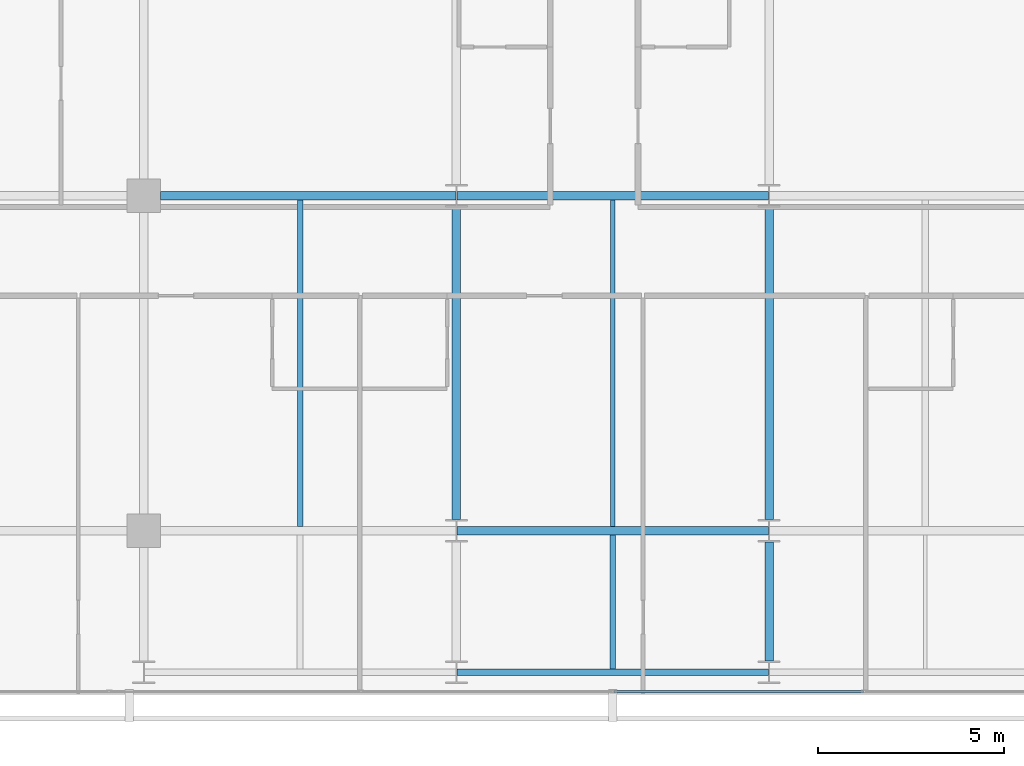
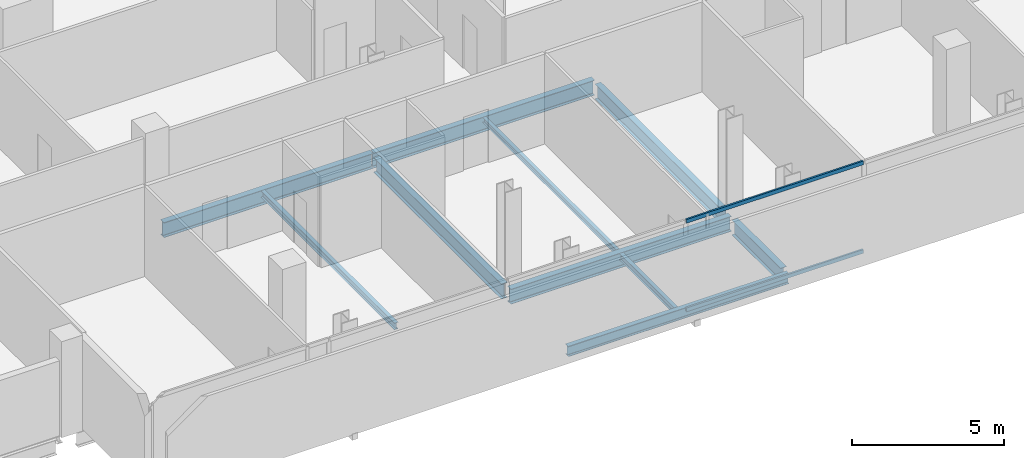
# One storey, part 7 of 32: 10 beams, 2 members, 1 element without a shape of its own.
"""IFC4 building model written with IfcOpenShell, lengths in metres."""

from ifc_helpers import new_model, si_unit, direction, frame, origin, origin_2d, place, context, subcontext, project, spatial, hollow_rectangle, i_section, extrude, material, layer, layer_set, material_profile, profile_set, type_object, element, aggregate, save


model = new_model("IFC4")

# Units and contexts
model_context = context("Model", 3, precision=1e-05, world=origin(), true_north=direction((0.0, 1.0)))
body_context = subcontext(model_context, "Body", "Model", "MODEL_VIEW")
ifc_project = project(units=[si_unit("LENGTHUNIT", "METRE"), si_unit("AREAUNIT", "SQUARE_METRE"), si_unit("VOLUMEUNIT", "CUBIC_METRE"), si_unit("PLANEANGLEUNIT", "RADIAN"), si_unit("MASSUNIT", "GRAM", prefix="KILO")], contexts=[model_context])

# Site, building, storey
site_placement = place(None, origin())
site = spatial("IfcSite", under=ifc_project, at=site_placement, CompositionType="ELEMENT")
building_placement = place(site_placement, origin())
building = spatial("IfcBuilding", under=site, at=building_placement, Name="Maruvema Waterfront Hotel and Observation Tower", CompositionType="ELEMENT")
storey_placement = place(building_placement, frame((0.0, 0.0, 165.89990234375)))
storey = spatial("IfcBuildingStorey", under=building, at=storey_placement, Name="L40", CompositionType="ELEMENT", Elevation=165.89990234375)

# Curtain wall, members
ifc_material_1 = material(Name="Anodised bronze aluminium and solar-control low-E IGU", Category="aluminium")
ifc_layer = layer(ifc_material_1, 0.159912109375, Name="Zone 2 Amber Inner Thermal Curtain Wall System CW-03")
ifc_layer_set = layer_set([ifc_layer], Name="Anodised bronze aluminium and solar-control low-E IGU")
curtain_wall_type = type_object("IfcCurtainWallType", Name="Zone 2 Amber Inner Thermal Curtain Wall System CW-03", PredefinedType="USERDEFINED", material=ifc_layer_set)
curtain_wall_placement = place(storey_placement, origin())
curtain_wall = element("IfcCurtainWall", 1, at=curtain_wall_placement, inside=storey, type_object=curtain_wall_type, Name="L40 Curtain Wall CW-L40-S", ObjectType="UNITISED CURTAIN WALL", PredefinedType="USERDEFINED")
ifc_material_2 = material(Name="Anodised architectural bronze aluminium", Category="aluminium")
ifc_material_profile_1 = material_profile(ifc_material_2, hollow_rectangle(XDim=0.070068359375, YDim=0.14990234375, WallThickness=0.00390625, at=origin_2d()), Name="ALU-T70x150")
ifc_profile_set_1 = profile_set([ifc_material_profile_1], Name="Anodised architectural bronze aluminium")
member_type = type_object("IfcMemberType", Name="Curtain Wall Horizontal Transom ALU-T70x150", PredefinedType="USERDEFINED", material=ifc_profile_set_1)
member_1_placement = place(storey_placement, frame((37.830078125, 4.679931640625, 0.030029296875), z_axis=(1.0, 0.0, 0.0), x_axis=(0.0, 1.0, 0.0)))
member_1 = element("IfcMember", 2, at=member_1_placement, type_object=member_type, Name="CW-03 transom 4.1", ObjectType="TRANSOM", PredefinedType="USERDEFINED", context=body_context, shape_type="SweptSolid", body=[
    extrude(hollow_rectangle(XDim=0.070068359375, YDim=0.14990234375, WallThickness=0.00390625, at=origin_2d()), origin(), (0.0, 0.0, 1.0), 6.70654296875),
])
member_2_placement = place(storey_placement, frame((37.830078125, 4.679931640625, 3.580078125), z_axis=(1.0, 0.0, 0.0), x_axis=(0.0, 1.0, 0.0)))
member_2 = element("IfcMember", 3, at=member_2_placement, type_object=member_type, Name="CW-03 transom 4.2", ObjectType="TRANSOM", PredefinedType="USERDEFINED", context=body_context, shape_type="SweptSolid", body=[
    extrude(hollow_rectangle(XDim=0.070068359375, YDim=0.14990234375, WallThickness=0.00390625, at=origin_2d()), origin(), (0.0, 0.0, 1.0), 6.70654296875),
])
aggregate(curtain_wall, [member_1, member_2])

# Beams
ifc_material_3 = material(Name="Steel ASTM A572 Grade 50", Category="steel")
ifc_material_profile_2 = material_profile(ifc_material_3, i_section(OverallWidth=0.180908203125, OverallDepth=0.4169921875, WebThickness=0.010986328125, FlangeThickness=0.018310546875, FilletRadius=0.014892578125, at=origin_2d()), Name="W410x85.0")
ifc_profile_set_2 = profile_set([ifc_material_profile_2], Name="Steel ASTM A572 Grade 50")
beam_type_1 = type_object("IfcBeamType", Name="Perimeter Spandrel Beam W410x85.0", PredefinedType="SPANDREL", material=ifc_profile_set_2)
beam_1_placement = place(storey_placement, frame((33.612548828125, 5.199951171875, -0.448486328125), z_axis=(1.0, 0.0, 0.0), x_axis=(0.0, 1.0, 0.0)))
element("IfcBeam", 4, at=beam_1_placement, inside=storey, type_object=beam_type_1, Name="L40 Floor Girder EW-02", PredefinedType="SPANDREL", context=body_context, shape_type="SweptSolid", body=[
    extrude(i_section(OverallWidth=0.180908203125, OverallDepth=0.4169921875, WebThickness=0.010986328125, FlangeThickness=0.018310546875, FilletRadius=0.014892578125, at=origin_2d()), origin(), (0.0, 0.0, 1.0), 8.375),
])
ifc_material_4 = material(Name="Steel ASTM A572 Grade 50", Category="steel")
ifc_material_profile_3 = material_profile(ifc_material_4, i_section(OverallWidth=0.22802734375, OverallDepth=0.60302734375, WebThickness=0.010498046875, FlangeThickness=0.014892578125, FilletRadius=0.01806640625, at=origin_2d()), Name="W610x101.0")
ifc_profile_set_3 = profile_set([ifc_material_profile_3], Name="Steel ASTM A572 Grade 50")
beam_type_2 = type_object("IfcBeamType", Name="Primary Floor Girder W610x101.0", PredefinedType="BEAM", material=ifc_profile_set_3)
beam_2_placement = place(storey_placement, frame((33.612548828125, 9.0, -0.54150390625), z_axis=(1.0, 0.0, 0.0), x_axis=(0.0, 1.0, 0.0)))
element("IfcBeam", 5, at=beam_2_placement, inside=storey, type_object=beam_type_2, Name="L40 Floor Girder EW-07", PredefinedType="BEAM", context=body_context, shape_type="SweptSolid", body=[
    extrude(i_section(OverallWidth=0.22802734375, OverallDepth=0.60302734375, WebThickness=0.010498046875, FlangeThickness=0.014892578125, FilletRadius=0.01806640625, at=origin_2d()), origin(), (0.0, 0.0, 1.0), 8.375),
])
beam_3_placement = place(storey_placement, frame((25.64990234375, 18.0, -0.54150390625), z_axis=(1.0, 0.0, 0.0), x_axis=(0.0, 1.0, 0.0)))
element("IfcBeam", 6, at=beam_3_placement, inside=storey, type_object=beam_type_2, Name="L40 Floor Girder EW-13", PredefinedType="BEAM", context=body_context, shape_type="SweptSolid", body=[
    extrude(i_section(OverallWidth=0.22802734375, OverallDepth=0.60302734375, WebThickness=0.010498046875, FlangeThickness=0.014892578125, FilletRadius=0.01806640625, at=origin_2d()), origin(), (0.0, 0.0, 1.0), 7.9375),
])
beam_4_placement = place(storey_placement, frame((33.612548828125, 18.0, -0.54150390625), z_axis=(1.0, 0.0, 0.0), x_axis=(0.0, 1.0, 0.0)))
element("IfcBeam", 7, at=beam_4_placement, inside=storey, type_object=beam_type_2, Name="L40 Floor Girder EW-14", PredefinedType="BEAM", context=body_context, shape_type="SweptSolid", body=[
    extrude(i_section(OverallWidth=0.22802734375, OverallDepth=0.60302734375, WebThickness=0.010498046875, FlangeThickness=0.014892578125, FilletRadius=0.01806640625, at=origin_2d()), origin(), (0.0, 0.0, 1.0), 8.375),
])
beam_5_placement = place(storey_placement, frame((33.60009765625, 9.300048828125, -0.54150390625), z_axis=(0.0, 1.0, 0.0), x_axis=(-1.0, 0.0, 0.0)))
element("IfcBeam", 8, at=beam_5_placement, inside=storey, type_object=beam_type_2, Name="L40 Floor Girder NS-15", PredefinedType="BEAM", context=body_context, shape_type="SweptSolid", body=[
    extrude(i_section(OverallWidth=0.22802734375, OverallDepth=0.60302734375, WebThickness=0.010498046875, FlangeThickness=0.014892578125, FilletRadius=0.01806640625, at=origin_2d()), origin(), (0.0, 0.0, 1.0), 8.39990234375),
])
beam_6_placement = place(storey_placement, frame((42.0, 5.5, -0.54150390625), z_axis=(0.0, 1.0, 0.0), x_axis=(-1.0, 0.0, 0.0)))
element("IfcBeam", 9, at=beam_6_placement, inside=storey, type_object=beam_type_2, Name="L40 Floor Girder NS-17", PredefinedType="BEAM", context=body_context, shape_type="SweptSolid", body=[
    extrude(i_section(OverallWidth=0.22802734375, OverallDepth=0.60302734375, WebThickness=0.010498046875, FlangeThickness=0.014892578125, FilletRadius=0.01806640625, at=origin_2d()), origin(), (0.0, 0.0, 1.0), 3.199951171875),
])
beam_7_placement = place(storey_placement, frame((42.0, 9.300048828125, -0.54150390625), z_axis=(0.0, 1.0, 0.0), x_axis=(-1.0, 0.0, 0.0)))
element("IfcBeam", 10, at=beam_7_placement, inside=storey, type_object=beam_type_2, Name="L40 Floor Girder NS-18", PredefinedType="BEAM", context=body_context, shape_type="SweptSolid", body=[
    extrude(i_section(OverallWidth=0.22802734375, OverallDepth=0.60302734375, WebThickness=0.010498046875, FlangeThickness=0.014892578125, FilletRadius=0.01806640625, at=origin_2d()), origin(), (0.0, 0.0, 1.0), 8.39990234375),
])
ifc_material_5 = material(Name="Steel ASTM A572 Grade 50", Category="steel")
ifc_material_profile_4 = material_profile(ifc_material_5, i_section(OverallWidth=0.133056640625, OverallDepth=0.20703125, WebThickness=0.005859375, FlangeThickness=0.00830078125, FilletRadius=0.010009765625, at=origin_2d()), Name="W200x26.6")
ifc_profile_set_4 = profile_set([ifc_material_profile_4], Name="Steel ASTM A572 Grade 50")
beam_type_3 = type_object("IfcBeamType", Name="Secondary Floor Joist W200x26.6", PredefinedType="JOIST", material=ifc_profile_set_4)
beam_8_placement = place(storey_placement, frame((37.800048828125, 9.114013671875, -0.343505859375), z_axis=(0.0, 1.0, 0.0), x_axis=(-1.0, 0.0, 0.0)))
element("IfcBeam", 11, at=beam_8_placement, inside=storey, type_object=beam_type_3, Name="L40 Secondary Floor Joist JS-08", PredefinedType="JOIST", context=body_context, shape_type="SweptSolid", body=[
    extrude(i_section(OverallWidth=0.133056640625, OverallDepth=0.20703125, WebThickness=0.005859375, FlangeThickness=0.00830078125, FilletRadius=0.010009765625, at=origin_2d()), origin(), (0.0, 0.0, 1.0), 8.77197265625),
])
ifc_material_6 = material(Name="Steel ASTM A572 Grade 50", Category="steel")
ifc_material_profile_5 = material_profile(ifc_material_6, i_section(OverallWidth=0.14599609375, OverallDepth=0.258056640625, WebThickness=0.006103515625, FlangeThickness=0.009033203125, FilletRadius=0.012939453125, at=origin_2d()), Name="W250x32.7")
ifc_profile_set_5 = profile_set([ifc_material_profile_5], Name="Steel ASTM A572 Grade 50")
beam_type_4 = type_object("IfcBeamType", Name="Secondary Floor Joist W250x32.7", PredefinedType="JOIST", material=ifc_profile_set_5)
beam_9_placement = place(storey_placement, frame((37.800048828125, 5.29052734375, -0.368896484375), z_axis=(0.0, 1.0, 0.0), x_axis=(-1.0, 0.0, 0.0)))
element("IfcBeam", 12, at=beam_9_placement, inside=storey, type_object=beam_type_4, Name="L40 Secondary Floor Joist JS-07", PredefinedType="JOIST", context=body_context, shape_type="SweptSolid", body=[
    extrude(i_section(OverallWidth=0.14599609375, OverallDepth=0.258056640625, WebThickness=0.006103515625, FlangeThickness=0.009033203125, FilletRadius=0.012939453125, at=origin_2d()), origin(), (0.0, 0.0, 1.0), 3.595458984375),
])
ifc_material_7 = material(Name="Steel ASTM A572 Grade 50", Category="steel")
ifc_material_profile_6 = material_profile(ifc_material_7, i_section(OverallWidth=0.14794921875, OverallDepth=0.26611328125, WebThickness=0.007568359375, FlangeThickness=0.012939453125, FilletRadius=0.012939453125, at=origin_2d()), Name="W250x44.8")
ifc_profile_set_6 = profile_set([ifc_material_profile_6], Name="Steel ASTM A572 Grade 50")
beam_type_5 = type_object("IfcBeamType", Name="Secondary Floor Joist W250x44.8", PredefinedType="JOIST", material=ifc_profile_set_6)
beam_10_placement = place(storey_placement, frame((29.39990234375, 9.114013671875, -0.372802734375), z_axis=(0.0, 1.0, 0.0), x_axis=(-1.0, 0.0, 0.0)))
element("IfcBeam", 13, at=beam_10_placement, inside=storey, type_object=beam_type_5, Name="L40 Secondary Floor Joist JS-06", PredefinedType="JOIST", context=body_context, shape_type="SweptSolid", body=[
    extrude(i_section(OverallWidth=0.14794921875, OverallDepth=0.26611328125, WebThickness=0.007568359375, FlangeThickness=0.012939453125, FilletRadius=0.012939453125, at=origin_2d()), origin(), (0.0, 0.0, 1.0), 8.77197265625),
])

save(model, "model.ifc")
